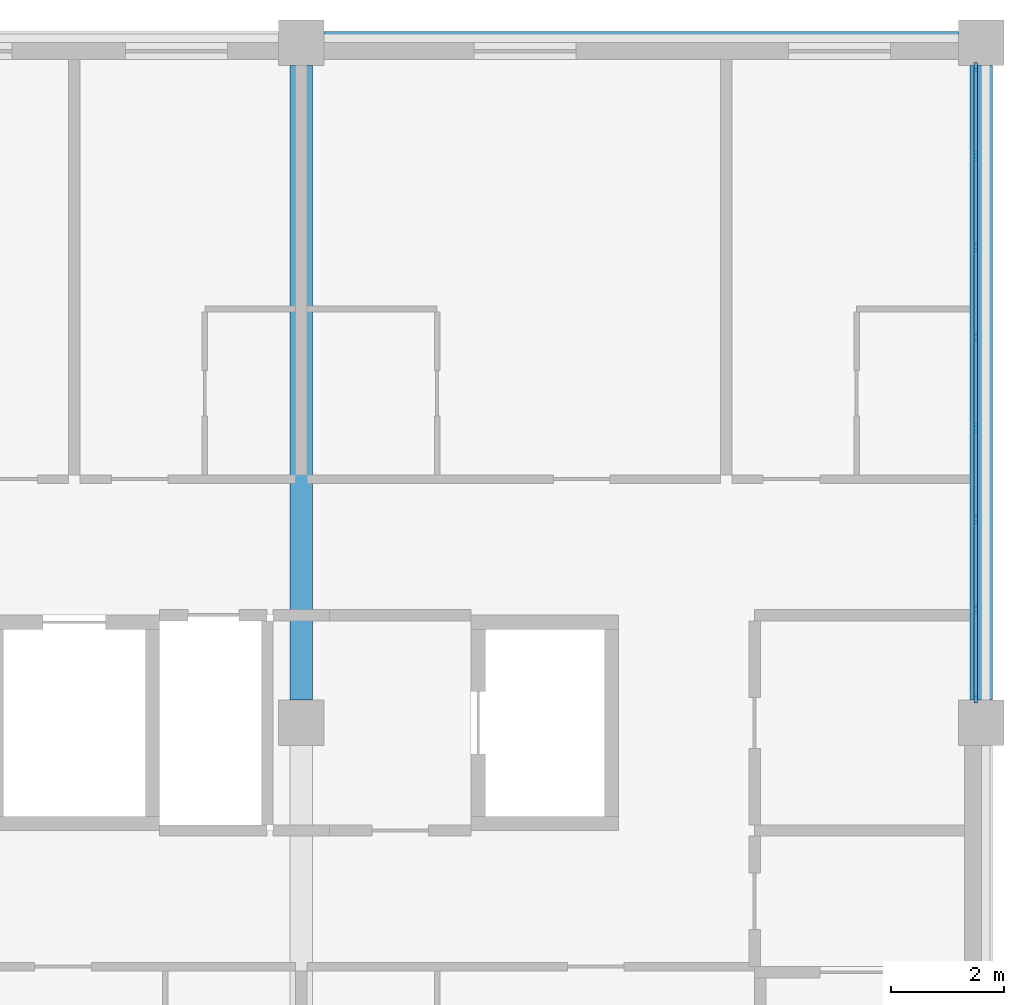
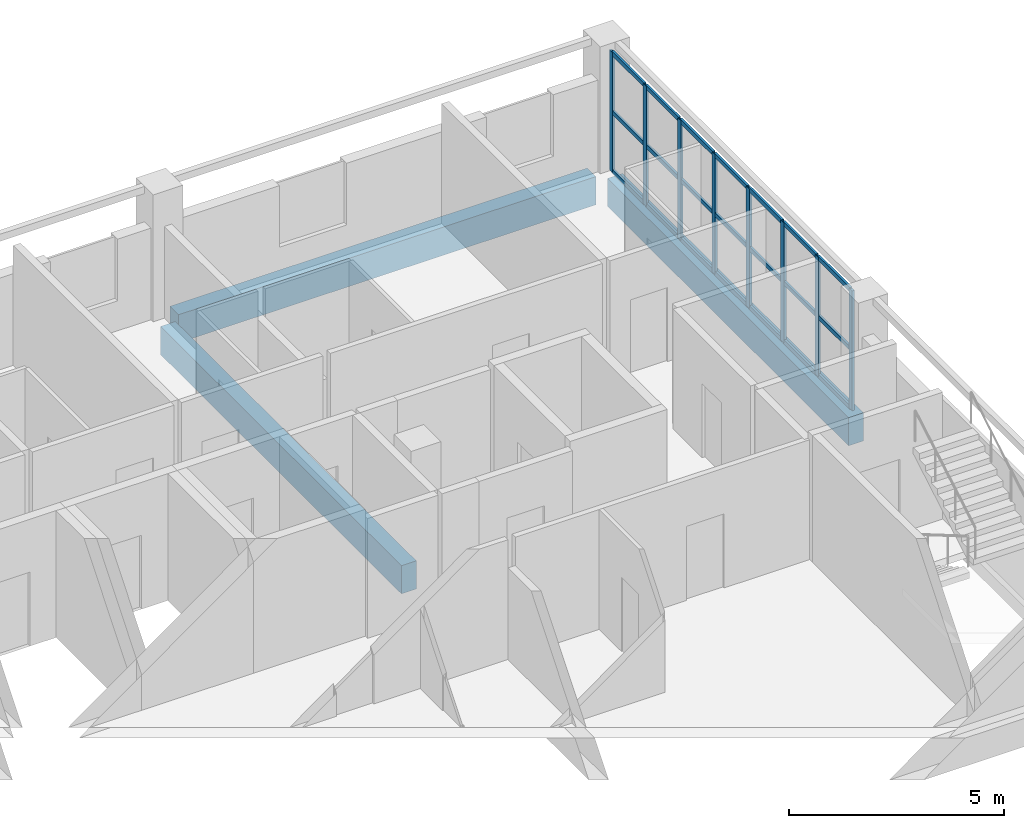
# One storey, part 4 of 11: 29 members, 3 beams, 1 element without a shape of its own.
"""IFC4 building model written with IfcOpenShell, lengths in metres."""

from ifc_helpers import new_model, si_unit, direction, frame, origin, origin_2d, place, context, subcontext, project, spatial, rectangle, extrude, material, layer, layer_set, material_profile, profile_set, type_object, element, aggregate, save


model = new_model("IFC4")

# Units and contexts
model_context = context("Model", 3, precision=1e-05, world=origin(), true_north=direction((0.0, 1.0)))
body_context = subcontext(model_context, "Body", "Model", "MODEL_VIEW")
ifc_project = project(units=[si_unit("LENGTHUNIT", "METRE"), si_unit("AREAUNIT", "SQUARE_METRE"), si_unit("VOLUMEUNIT", "CUBIC_METRE"), si_unit("PLANEANGLEUNIT", "RADIAN"), si_unit("MASSUNIT", "GRAM", prefix="KILO")], contexts=[model_context])

# Site, building, storey
site_placement = place(None, origin())
site = spatial("IfcSite", under=ifc_project, at=site_placement, CompositionType="ELEMENT")
building_placement = place(site_placement, origin())
building = spatial("IfcBuilding", under=site, at=building_placement, Name="Lilac Gate Convention Centre", CompositionType="ELEMENT")
storey_placement = place(building_placement, frame((0.0, 0.0, 46.199951171875)))
storey = spatial("IfcBuildingStorey", under=building, at=storey_placement, Name="L11", CompositionType="ELEMENT", Elevation=46.199951171875)

# Curtain wall, members
ifc_material_1 = material(Name="Aluminium framed double glazing", Category="aluminium")
ifc_layer = layer(ifc_material_1, 0.199951171875)
ifc_layer_set = layer_set([ifc_layer], Name="Aluminium framed double glazing")
curtain_wall_type = type_object("IfcCurtainWallType", Name="Unitised curtain wall 1500", PredefinedType="NOTDEFINED", material=ifc_layer_set)
curtain_wall_placement = place(storey_placement, origin())
curtain_wall = element("IfcCurtainWall", 1, at=curtain_wall_placement, inside=storey, type_object=curtain_wall_type, Name="Curtain wall E L11 2", PredefinedType="NOTDEFINED")
ifc_material_2 = material(Name="Aluminium alloy 6063", Category="aluminium")
ifc_material_profile_1 = material_profile(ifc_material_2, rectangle(XDim=0.06005859375, YDim=0.159912109375, at=origin_2d()), Name="Curtain wall mullion 60 x 160")
ifc_profile_set_1 = profile_set([ifc_material_profile_1], Name="Aluminium alloy 6063")
member_type_1 = type_object("IfcMemberType", Name="Curtain wall mullion 60 x 160", PredefinedType="MULLION", material=ifc_profile_set_1)
member_1_placement = place(storey_placement, frame((89.89990234375, 234.429931640625, 0.0), z_axis=(0.0, 0.0, 1.0), x_axis=(-1.0, 0.0, 0.0)))
member_1 = element("IfcMember", 2, at=member_1_placement, type_object=member_type_1, Name="CW mullion 1", PredefinedType="MULLION", context=body_context, shape_type="SweptSolid", body=[
    extrude(rectangle(XDim=0.06005859375, YDim=0.159912109375, at=origin_2d()), origin(), (0.0, 0.0, 1.0), 3.400146484375),
])
member_2_placement = place(storey_placement, frame((89.89990234375, 236.0, 0.0), z_axis=(0.0, 0.0, 1.0), x_axis=(-1.0, 0.0, 0.0)))
member_2 = element("IfcMember", 3, at=member_2_placement, type_object=member_type_1, Name="CW mullion 2", PredefinedType="MULLION", context=body_context, shape_type="SweptSolid", body=[
    extrude(rectangle(XDim=0.06005859375, YDim=0.159912109375, at=origin_2d()), origin(), (0.0, 0.0, 1.0), 3.400146484375),
])
member_3_placement = place(storey_placement, frame((89.89990234375, 237.599853515625, 0.0), z_axis=(0.0, 0.0, 1.0), x_axis=(-1.0, 0.0, 0.0)))
member_3 = element("IfcMember", 4, at=member_3_placement, type_object=member_type_1, Name="CW mullion 3", PredefinedType="MULLION", context=body_context, shape_type="SweptSolid", body=[
    extrude(rectangle(XDim=0.06005859375, YDim=0.159912109375, at=origin_2d()), origin(), (0.0, 0.0, 1.0), 3.400146484375),
])
member_4_placement = place(storey_placement, frame((89.89990234375, 239.199951171875, 0.0), z_axis=(0.0, 0.0, 1.0), x_axis=(-1.0, 0.0, 0.0)))
member_4 = element("IfcMember", 5, at=member_4_placement, type_object=member_type_1, Name="CW mullion 4", PredefinedType="MULLION", context=body_context, shape_type="SweptSolid", body=[
    extrude(rectangle(XDim=0.06005859375, YDim=0.159912109375, at=origin_2d()), origin(), (0.0, 0.0, 1.0), 3.400146484375),
])
member_5_placement = place(storey_placement, frame((89.89990234375, 240.800048828125, 0.0), z_axis=(0.0, 0.0, 1.0), x_axis=(-1.0, 0.0, 0.0)))
member_5 = element("IfcMember", 6, at=member_5_placement, type_object=member_type_1, Name="CW mullion 5", PredefinedType="MULLION", context=body_context, shape_type="SweptSolid", body=[
    extrude(rectangle(XDim=0.06005859375, YDim=0.159912109375, at=origin_2d()), origin(), (0.0, 0.0, 1.0), 3.400146484375),
])
member_6_placement = place(storey_placement, frame((89.89990234375, 242.400146484375, 0.0), z_axis=(0.0, 0.0, 1.0), x_axis=(-1.0, 0.0, 0.0)))
member_6 = element("IfcMember", 7, at=member_6_placement, type_object=member_type_1, Name="CW mullion 6", PredefinedType="MULLION", context=body_context, shape_type="SweptSolid", body=[
    extrude(rectangle(XDim=0.06005859375, YDim=0.159912109375, at=origin_2d()), origin(), (0.0, 0.0, 1.0), 3.400146484375),
])
member_7_placement = place(storey_placement, frame((89.89990234375, 244.0, 0.0), z_axis=(0.0, 0.0, 1.0), x_axis=(-1.0, 0.0, 0.0)))
member_7 = element("IfcMember", 8, at=member_7_placement, type_object=member_type_1, Name="CW mullion 7", PredefinedType="MULLION", context=body_context, shape_type="SweptSolid", body=[
    extrude(rectangle(XDim=0.06005859375, YDim=0.159912109375, at=origin_2d()), origin(), (0.0, 0.0, 1.0), 3.400146484375),
])
member_8_placement = place(storey_placement, frame((89.89990234375, 245.570068359375, 0.0), z_axis=(0.0, 0.0, 1.0), x_axis=(-1.0, 0.0, 0.0)))
member_8 = element("IfcMember", 9, at=member_8_placement, type_object=member_type_1, Name="CW mullion 8", PredefinedType="MULLION", context=body_context, shape_type="SweptSolid", body=[
    extrude(rectangle(XDim=0.06005859375, YDim=0.159912109375, at=origin_2d()), origin(), (0.0, 0.0, 1.0), 3.400146484375),
])
ifc_material_profile_2 = material_profile(ifc_material_2, rectangle(XDim=0.06005859375, YDim=0.1201171875, at=origin_2d()), Name="Curtain wall transom 60 x 120")
ifc_profile_set_2 = profile_set([ifc_material_profile_2], Name="Aluminium alloy 6063")
member_type_2 = type_object("IfcMemberType", Name="Curtain wall transom 60 x 120", PredefinedType="USERDEFINED", material=ifc_profile_set_2)
member_9_placement = place(storey_placement, frame((89.89990234375, 234.4599609375, 0.030029296875), z_axis=(0.0, 1.0, 0.0), x_axis=(-1.0, 0.0, 0.0)))
member_9 = element("IfcMember", 10, at=member_9_placement, type_object=member_type_2, Name="CW transom 1.1", ObjectType="TRANSOM", PredefinedType="USERDEFINED", context=body_context, shape_type="SweptSolid", body=[
    extrude(rectangle(XDim=0.06005859375, YDim=0.1201171875, at=origin_2d()), origin(), (0.0, 0.0, 1.0), 1.510009765625),
])
member_10_placement = place(storey_placement, frame((89.89990234375, 234.4599609375, 1.699951171875), z_axis=(0.0, 1.0, 0.0), x_axis=(-1.0, 0.0, 0.0)))
member_10 = element("IfcMember", 11, at=member_10_placement, type_object=member_type_2, Name="CW transom 1.2", ObjectType="TRANSOM", PredefinedType="USERDEFINED", context=body_context, shape_type="SweptSolid", body=[
    extrude(rectangle(XDim=0.06005859375, YDim=0.1201171875, at=origin_2d()), origin(), (0.0, 0.0, 1.0), 1.510009765625),
])
member_11_placement = place(storey_placement, frame((89.89990234375, 234.4599609375, 3.3701171875), z_axis=(0.0, 1.0, 0.0), x_axis=(-1.0, 0.0, 0.0)))
member_11 = element("IfcMember", 12, at=member_11_placement, type_object=member_type_2, Name="CW transom 1.3", ObjectType="TRANSOM", PredefinedType="USERDEFINED", context=body_context, shape_type="SweptSolid", body=[
    extrude(rectangle(XDim=0.06005859375, YDim=0.1201171875, at=origin_2d()), origin(), (0.0, 0.0, 1.0), 1.510009765625),
])
member_12_placement = place(storey_placement, frame((89.89990234375, 236.030029296875, 0.030029296875), z_axis=(0.0, 1.0, 0.0), x_axis=(-1.0, 0.0, 0.0)))
member_12 = element("IfcMember", 13, at=member_12_placement, type_object=member_type_2, Name="CW transom 2.1", ObjectType="TRANSOM", PredefinedType="USERDEFINED", context=body_context, shape_type="SweptSolid", body=[
    extrude(rectangle(XDim=0.06005859375, YDim=0.1201171875, at=origin_2d()), origin(), (0.0, 0.0, 1.0), 1.5400390625),
])
member_13_placement = place(storey_placement, frame((89.89990234375, 236.030029296875, 1.699951171875), z_axis=(0.0, 1.0, 0.0), x_axis=(-1.0, 0.0, 0.0)))
member_13 = element("IfcMember", 14, at=member_13_placement, type_object=member_type_2, Name="CW transom 2.2", ObjectType="TRANSOM", PredefinedType="USERDEFINED", context=body_context, shape_type="SweptSolid", body=[
    extrude(rectangle(XDim=0.06005859375, YDim=0.1201171875, at=origin_2d()), origin(), (0.0, 0.0, 1.0), 1.5400390625),
])
member_14_placement = place(storey_placement, frame((89.89990234375, 236.030029296875, 3.3701171875), z_axis=(0.0, 1.0, 0.0), x_axis=(-1.0, 0.0, 0.0)))
member_14 = element("IfcMember", 15, at=member_14_placement, type_object=member_type_2, Name="CW transom 2.3", ObjectType="TRANSOM", PredefinedType="USERDEFINED", context=body_context, shape_type="SweptSolid", body=[
    extrude(rectangle(XDim=0.06005859375, YDim=0.1201171875, at=origin_2d()), origin(), (0.0, 0.0, 1.0), 1.5400390625),
])
member_15_placement = place(storey_placement, frame((89.89990234375, 237.6298828125, 0.030029296875), z_axis=(0.0, 1.0, 0.0), x_axis=(-1.0, 0.0, 0.0)))
member_15 = element("IfcMember", 16, at=member_15_placement, type_object=member_type_2, Name="CW transom 3.1", ObjectType="TRANSOM", PredefinedType="USERDEFINED", context=body_context, shape_type="SweptSolid", body=[
    extrude(rectangle(XDim=0.06005859375, YDim=0.1201171875, at=origin_2d()), origin(), (0.0, 0.0, 1.0), 1.5400390625),
])
member_16_placement = place(storey_placement, frame((89.89990234375, 237.6298828125, 1.699951171875), z_axis=(0.0, 1.0, 0.0), x_axis=(-1.0, 0.0, 0.0)))
member_16 = element("IfcMember", 17, at=member_16_placement, type_object=member_type_2, Name="CW transom 3.2", ObjectType="TRANSOM", PredefinedType="USERDEFINED", context=body_context, shape_type="SweptSolid", body=[
    extrude(rectangle(XDim=0.06005859375, YDim=0.1201171875, at=origin_2d()), origin(), (0.0, 0.0, 1.0), 1.5400390625),
])
member_17_placement = place(storey_placement, frame((89.89990234375, 237.6298828125, 3.3701171875), z_axis=(0.0, 1.0, 0.0), x_axis=(-1.0, 0.0, 0.0)))
member_17 = element("IfcMember", 18, at=member_17_placement, type_object=member_type_2, Name="CW transom 3.3", ObjectType="TRANSOM", PredefinedType="USERDEFINED", context=body_context, shape_type="SweptSolid", body=[
    extrude(rectangle(XDim=0.06005859375, YDim=0.1201171875, at=origin_2d()), origin(), (0.0, 0.0, 1.0), 1.5400390625),
])
member_18_placement = place(storey_placement, frame((89.89990234375, 239.22998046875, 0.030029296875), z_axis=(0.0, 1.0, 0.0), x_axis=(-1.0, 0.0, 0.0)))
member_18 = element("IfcMember", 19, at=member_18_placement, type_object=member_type_2, Name="CW transom 4.1", ObjectType="TRANSOM", PredefinedType="USERDEFINED", context=body_context, shape_type="SweptSolid", body=[
    extrude(rectangle(XDim=0.06005859375, YDim=0.1201171875, at=origin_2d()), origin(), (0.0, 0.0, 1.0), 1.5400390625),
])
member_19_placement = place(storey_placement, frame((89.89990234375, 239.22998046875, 1.699951171875), z_axis=(0.0, 1.0, 0.0), x_axis=(-1.0, 0.0, 0.0)))
member_19 = element("IfcMember", 20, at=member_19_placement, type_object=member_type_2, Name="CW transom 4.2", ObjectType="TRANSOM", PredefinedType="USERDEFINED", context=body_context, shape_type="SweptSolid", body=[
    extrude(rectangle(XDim=0.06005859375, YDim=0.1201171875, at=origin_2d()), origin(), (0.0, 0.0, 1.0), 1.5400390625),
])
member_20_placement = place(storey_placement, frame((89.89990234375, 239.22998046875, 3.3701171875), z_axis=(0.0, 1.0, 0.0), x_axis=(-1.0, 0.0, 0.0)))
member_20 = element("IfcMember", 21, at=member_20_placement, type_object=member_type_2, Name="CW transom 4.3", ObjectType="TRANSOM", PredefinedType="USERDEFINED", context=body_context, shape_type="SweptSolid", body=[
    extrude(rectangle(XDim=0.06005859375, YDim=0.1201171875, at=origin_2d()), origin(), (0.0, 0.0, 1.0), 1.5400390625),
])
member_21_placement = place(storey_placement, frame((89.89990234375, 240.830078125, 0.030029296875), z_axis=(0.0, 1.0, 0.0), x_axis=(-1.0, 0.0, 0.0)))
member_21 = element("IfcMember", 22, at=member_21_placement, type_object=member_type_2, Name="CW transom 5.1", ObjectType="TRANSOM", PredefinedType="USERDEFINED", context=body_context, shape_type="SweptSolid", body=[
    extrude(rectangle(XDim=0.06005859375, YDim=0.1201171875, at=origin_2d()), origin(), (0.0, 0.0, 1.0), 1.5400390625),
])
member_22_placement = place(storey_placement, frame((89.89990234375, 240.830078125, 1.699951171875), z_axis=(0.0, 1.0, 0.0), x_axis=(-1.0, 0.0, 0.0)))
member_22 = element("IfcMember", 23, at=member_22_placement, type_object=member_type_2, Name="CW transom 5.2", ObjectType="TRANSOM", PredefinedType="USERDEFINED", context=body_context, shape_type="SweptSolid", body=[
    extrude(rectangle(XDim=0.06005859375, YDim=0.1201171875, at=origin_2d()), origin(), (0.0, 0.0, 1.0), 1.5400390625),
])
member_23_placement = place(storey_placement, frame((89.89990234375, 240.830078125, 3.3701171875), z_axis=(0.0, 1.0, 0.0), x_axis=(-1.0, 0.0, 0.0)))
member_23 = element("IfcMember", 24, at=member_23_placement, type_object=member_type_2, Name="CW transom 5.3", ObjectType="TRANSOM", PredefinedType="USERDEFINED", context=body_context, shape_type="SweptSolid", body=[
    extrude(rectangle(XDim=0.06005859375, YDim=0.1201171875, at=origin_2d()), origin(), (0.0, 0.0, 1.0), 1.5400390625),
])
member_24_placement = place(storey_placement, frame((89.89990234375, 242.429931640625, 0.030029296875), z_axis=(0.0, 1.0, 0.0), x_axis=(-1.0, 0.0, 0.0)))
member_24 = element("IfcMember", 25, at=member_24_placement, type_object=member_type_2, Name="CW transom 6.1", ObjectType="TRANSOM", PredefinedType="USERDEFINED", context=body_context, shape_type="SweptSolid", body=[
    extrude(rectangle(XDim=0.06005859375, YDim=0.1201171875, at=origin_2d()), origin(), (0.0, 0.0, 1.0), 1.5400390625),
])
member_25_placement = place(storey_placement, frame((89.89990234375, 242.429931640625, 1.699951171875), z_axis=(0.0, 1.0, 0.0), x_axis=(-1.0, 0.0, 0.0)))
member_25 = element("IfcMember", 26, at=member_25_placement, type_object=member_type_2, Name="CW transom 6.2", ObjectType="TRANSOM", PredefinedType="USERDEFINED", context=body_context, shape_type="SweptSolid", body=[
    extrude(rectangle(XDim=0.06005859375, YDim=0.1201171875, at=origin_2d()), origin(), (0.0, 0.0, 1.0), 1.5400390625),
])
member_26_placement = place(storey_placement, frame((89.89990234375, 242.429931640625, 3.3701171875), z_axis=(0.0, 1.0, 0.0), x_axis=(-1.0, 0.0, 0.0)))
member_26 = element("IfcMember", 27, at=member_26_placement, type_object=member_type_2, Name="CW transom 6.3", ObjectType="TRANSOM", PredefinedType="USERDEFINED", context=body_context, shape_type="SweptSolid", body=[
    extrude(rectangle(XDim=0.06005859375, YDim=0.1201171875, at=origin_2d()), origin(), (0.0, 0.0, 1.0), 1.5400390625),
])
member_27_placement = place(storey_placement, frame((89.89990234375, 244.030029296875, 0.030029296875), z_axis=(0.0, 1.0, 0.0), x_axis=(-1.0, 0.0, 0.0)))
member_27 = element("IfcMember", 28, at=member_27_placement, type_object=member_type_2, Name="CW transom 7.1", ObjectType="TRANSOM", PredefinedType="USERDEFINED", context=body_context, shape_type="SweptSolid", body=[
    extrude(rectangle(XDim=0.06005859375, YDim=0.1201171875, at=origin_2d()), origin(), (0.0, 0.0, 1.0), 1.510009765625),
])
member_28_placement = place(storey_placement, frame((89.89990234375, 244.030029296875, 1.699951171875), z_axis=(0.0, 1.0, 0.0), x_axis=(-1.0, 0.0, 0.0)))
member_28 = element("IfcMember", 29, at=member_28_placement, type_object=member_type_2, Name="CW transom 7.2", ObjectType="TRANSOM", PredefinedType="USERDEFINED", context=body_context, shape_type="SweptSolid", body=[
    extrude(rectangle(XDim=0.06005859375, YDim=0.1201171875, at=origin_2d()), origin(), (0.0, 0.0, 1.0), 1.510009765625),
])
member_29_placement = place(storey_placement, frame((89.89990234375, 244.030029296875, 3.3701171875), z_axis=(0.0, 1.0, 0.0), x_axis=(-1.0, 0.0, 0.0)))
member_29 = element("IfcMember", 30, at=member_29_placement, type_object=member_type_2, Name="CW transom 7.3", ObjectType="TRANSOM", PredefinedType="USERDEFINED", context=body_context, shape_type="SweptSolid", body=[
    extrude(rectangle(XDim=0.06005859375, YDim=0.1201171875, at=origin_2d()), origin(), (0.0, 0.0, 1.0), 1.510009765625),
])
aggregate(curtain_wall, [member_1, member_2, member_3, member_4, member_5, member_6, member_7, member_8, member_9, member_10, member_11, member_12, member_13, member_14, member_15, member_16, member_17, member_18, member_19, member_20, member_21, member_22, member_23, member_24, member_25, member_26, member_27, member_28, member_29])

# Beams
ifc_material_3 = material(Name="Concrete C40", Category="concrete")
ifc_material_profile_3 = material_profile(ifc_material_3, rectangle(XDim=0.39990234375, YDim=0.800048828125, at=origin_2d()), Name="RC 400x800")
ifc_profile_set_3 = profile_set([ifc_material_profile_3], Name="Concrete C40")
beam_type = type_object("IfcBeamType", Name="Tower primary beam 400x800 C40", PredefinedType="BEAM", material=ifc_profile_set_3)
for number, where, z_axis, x_axis, name in (
    (31, (78.39990234375, 246.0, -0.599853515625), (1.0, 0.0, 0.0), (0.0, 1.0, 0.0), "RB3 L11 7/U-8/U"),
    (32, (78.0, 234.39990234375, -0.599853515625), (0.0, 1.0, 0.0), (-1.0, 0.0, 0.0), "RB3 L11 7/T-7/U"),
    (33, (90.0, 234.39990234375, -0.599853515625), (0.0, 1.0, 0.0), (-1.0, 0.0, 0.0), "RB3 L11 8/T-8/U"),
):
    element("IfcBeam", number, at=place(storey_placement, frame(where, z_axis=z_axis, x_axis=x_axis)), inside=storey, type_object=beam_type, Name=name, PredefinedType="BEAM", context=body_context, shape_type="SweptSolid", body=[
        extrude(rectangle(XDim=0.39990234375, YDim=0.800048828125, at=origin_2d()), origin(), (0.0, 0.0, 1.0), 11.2001953125),
    ])

save(model, "model.ifc")
